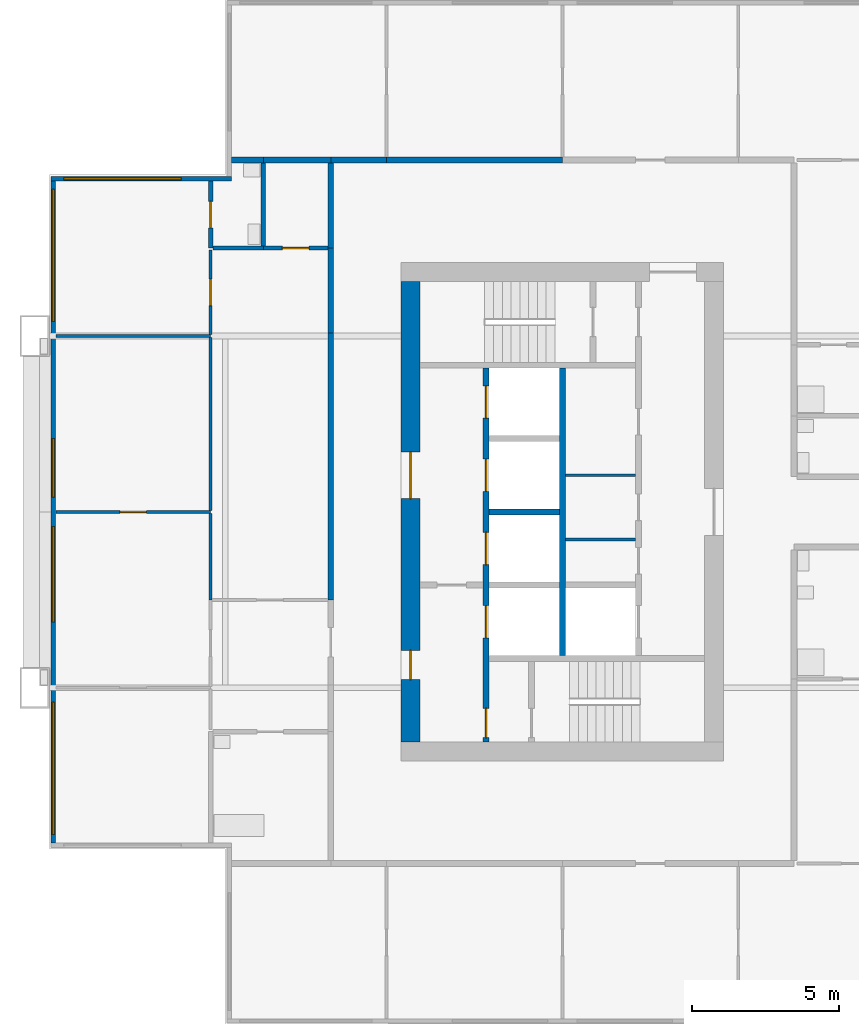
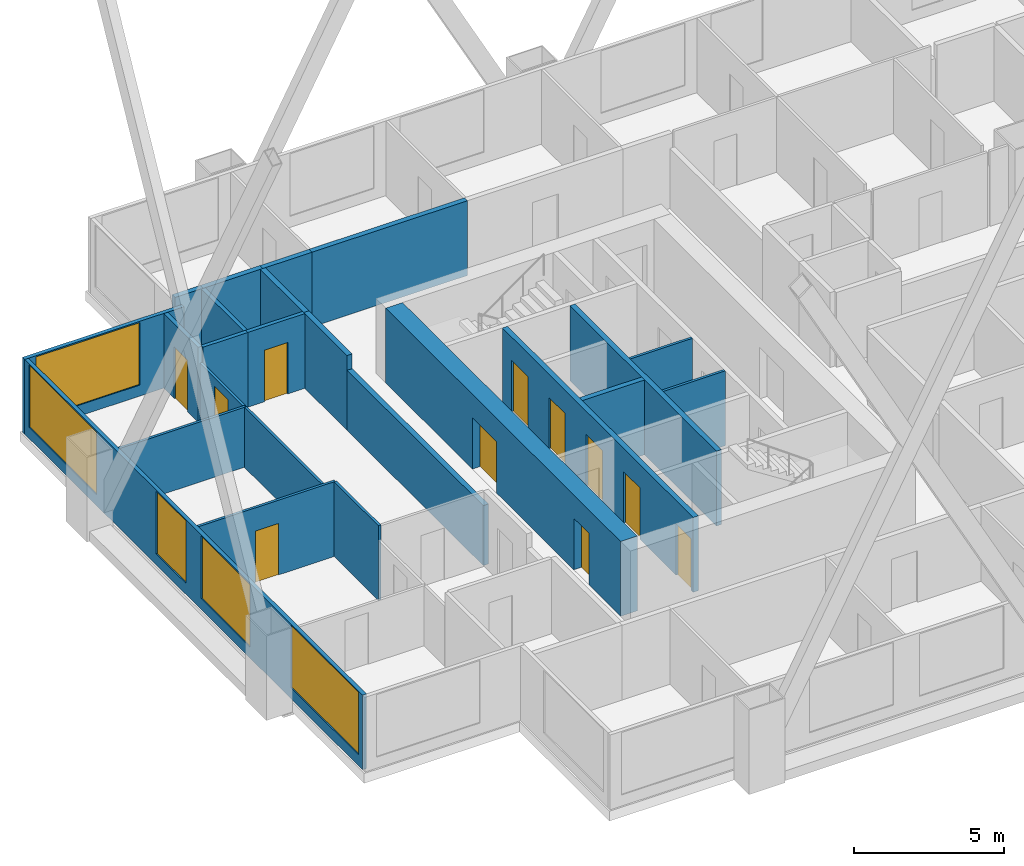
# One storey, part 3 of 11: 24 walls, 11 doors, 5 windows, 16 openings.
"""IFC4 building model written with IfcOpenShell, lengths in metres."""

from ifc_helpers import new_model, si_unit, direction, frame, frame_2d, origin, place, context, subcontext, project, spatial, rectangle, extrude, material, layer, layer_set, type_object, element, fill, save


model = new_model("IFC4")

# Units and contexts
model_context = context("Model", 3, precision=1e-05, world=origin(), true_north=direction((0.0, 1.0)))
body_context = subcontext(model_context, "Body", "Model", "MODEL_VIEW")
ifc_project = project(units=[si_unit("LENGTHUNIT", "METRE"), si_unit("AREAUNIT", "SQUARE_METRE"), si_unit("VOLUMEUNIT", "CUBIC_METRE"), si_unit("PLANEANGLEUNIT", "RADIAN"), si_unit("MASSUNIT", "GRAM", prefix="KILO")], contexts=[model_context])

# Site, building, storey
site_placement = place(None, origin())
site = spatial("IfcSite", under=ifc_project, at=site_placement, CompositionType="ELEMENT")
building_placement = place(site_placement, origin())
building = spatial("IfcBuilding", under=site, at=building_placement, Name="Kitamizu Gate Tower and Museum", CompositionType="ELEMENT")
storey_placement = place(building_placement, frame((0.0, 0.0, 131.10009765625)))
storey = spatial("IfcBuildingStorey", under=building, at=storey_placement, Name="L34", CompositionType="ELEMENT", Elevation=131.10009765625)

# Wall, openings, doors
ifc_material_1 = material(Name="Concrete Fc60", Category="concrete")
ifc_layer_1 = layer(ifc_material_1, 0.64990234375)
ifc_layer_set_1 = layer_set([ifc_layer_1], Name="Concrete Fc60")
wall_type_1 = type_object("IfcWallType", Name="Core wall 650", PredefinedType="SHEAR", material=ifc_layer_set_1)
wall_1_placement = place(storey_placement, frame((12.824951171875, 22.14990234375, 0.0), z_axis=(0.0, 0.0, 1.0), x_axis=(0.0, 1.0, 0.0)))
wall_1 = element("IfcWall", 1, at=wall_1_placement, inside=storey, type_object=wall_type_1, Name="Core wall WOUT", PredefinedType="SHEAR", context=body_context, shape_type="SweptSolid", body=[
    extrude(rectangle(XDim=15.7001953125, YDim=0.64990234375, at=frame_2d((7.85009765625, 0.0))), origin(), (0.0, 0.0, 1.0), 3.0498046875),
])
opening_1_placement = place(wall_1_placement, frame((8.300048828125, 0.0, 0.0)))
opening_1 = element("IfcOpeningElement", 2, at=opening_1_placement, cuts=wall_1, Name="Opening L34-057", PredefinedType="OPENING", context=body_context, shape_type="SweptSolid", body=[
    extrude(rectangle(XDim=1.60009765625, YDim=2.10009765625, at=frame_2d((0.800048828125, 1.050048828125))), frame((0.0, 0.3349609375, 0.0), z_axis=(0.0, -1.0, 0.0), x_axis=(1.0, 0.0, 0.0)), (0.0, 0.0, 1.0), 0.669921875),
])
opening_2_placement = place(wall_1_placement, frame((2.125, 0.0, 0.0)))
opening_2 = element("IfcOpeningElement", 3, at=opening_2_placement, cuts=wall_1, Name="Opening L34-058", PredefinedType="OPENING", context=body_context, shape_type="SweptSolid", body=[
    extrude(rectangle(XDim=1.0, YDim=2.10009765625, at=frame_2d((0.5, 1.050048828125))), frame((0.0, 0.3349609375, 0.0), z_axis=(0.0, -1.0, 0.0), x_axis=(1.0, 0.0, 0.0)), (0.0, 0.0, 1.0), 0.669921875),
])
ifc_material_2 = material(Name="Timber door set", Category="wood")
door_type_1 = type_object("IfcDoorType", Name="Entrance door 1600", OperationType="DOUBLE_DOOR_SINGLE_SWING", PredefinedType="DOOR", material=ifc_material_2)
door_1_placement = place(opening_1_placement, origin())
door_1 = element("IfcDoor", 4, at=door_1_placement, inside=storey, type_object=door_type_1, Name="Lobby door L34-057", OperationType="DOUBLE_DOOR_SINGLE_SWING", OverallHeight=2.10009765625, OverallWidth=1.60009765625, PredefinedType="DOOR", context=body_context, shape_type="SweptSolid", body=[
    extrude(rectangle(XDim=1.60009765625, YDim=2.10009765625, at=frame_2d((0.800048828125, 1.050048828125))), frame((0.0, 0.02490234375, 0.0), z_axis=(0.0, -1.0, 0.0), x_axis=(1.0, 0.0, 0.0)), (0.0, 0.0, 1.0), 0.050048828125),
])
fill(opening_1, door_1)
ifc_material_3 = material(Name="Hollow metal door set")
door_type_2 = type_object("IfcDoorType", Name="Fire door 1000", OperationType="NOTDEFINED", PredefinedType="DOOR", material=ifc_material_3)
door_2_placement = place(opening_2_placement, frame((1.0, 0.0, 0.0), x_axis=(-1.0, 0.0, 0.0)))
door_2 = element("IfcDoor", 5, at=door_2_placement, inside=storey, type_object=door_type_2, Name="Fire-fighting lobby door L34-058", OperationType="SINGLE_SWING_RIGHT", OverallHeight=2.10009765625, OverallWidth=1.0, PredefinedType="DOOR", context=body_context, shape_type="SweptSolid", body=[
    extrude(rectangle(XDim=1.0, YDim=2.10009765625, at=frame_2d((0.5, 1.050048828125))), frame((0.0, 0.02490234375, 0.0), z_axis=(0.0, -1.0, 0.0), x_axis=(1.0, 0.0, 0.0)), (0.0, 0.0, 1.0), 0.050048828125),
])
fill(opening_2, door_2)

# Walls
ifc_material_4 = material(Name="Gypsum board on galvanised stud")
ifc_layer_2 = layer(ifc_material_4, 0.10009765625)
ifc_layer_set_2 = layer_set([ifc_layer_2], Name="Gypsum board on galvanised stud")
wall_type_2 = type_object("IfcWallType", Name="Partition 100", PredefinedType="PARTITIONING", material=ifc_layer_set_2)
for number, where, z_axis, x_axis, name in (
    (6, (18.10009765625, 29.06005859375, 0.0), (0.0, 0.0, 1.0), (1.0, 0.0, 0.0), "Partition WPF1"),
    (7, (18.10009765625, 31.25, 0.0), (0.0, 0.0, 1.0), (1.0, 0.0, 0.0), "Partition WPF2"),
):
    element("IfcWall", number, at=place(storey_placement, frame(where, z_axis=z_axis, x_axis=x_axis)), inside=storey, type_object=wall_type_2, Name=name, PredefinedType="PARTITIONING", context=body_context, shape_type="SweptSolid", body=[
        extrude(rectangle(XDim=2.39990234375, YDim=0.10009765625, at=frame_2d((1.199951171875, 0.0))), origin(), (0.0, 0.0, 1.0), 3.0498046875),
    ])

# Wall, opening, door
ifc_material_5 = material(Name="Gypsum board on galvanised stud")
ifc_layer_3 = layer(ifc_material_5, 0.10009765625)
ifc_layer_set_3 = layer_set([ifc_layer_3], Name="Gypsum board on galvanised stud")
wall_type_3 = type_object("IfcWallType", Name="Partition 100 NOT RATED", PredefinedType="PARTITIONING", material=ifc_layer_set_3)
wall_2_placement = place(storey_placement, frame((6.0, 30.0, 0.0), z_axis=(0.0, 0.0, 1.0), x_axis=(-1.0, 0.0, 0.0)))
wall_2 = element("IfcWall", 8, at=wall_2_placement, inside=storey, type_object=wall_type_3, Name="Partition L34-088", PredefinedType="PARTITIONING", context=body_context, shape_type="SweptSolid", body=[
    extrude(rectangle(XDim=5.280029296875, YDim=0.10009765625, at=frame_2d((2.64013671875, 0.0))), origin(), (0.0, 0.0, 1.0), 3.0498046875),
])
opening_3_placement = place(wall_2_placement, frame((2.18994140625, 0.0, 0.0)))
opening_3 = element("IfcOpeningElement", 9, at=opening_3_placement, cuts=wall_2, Name="Opening L34-032", PredefinedType="OPENING", context=body_context, shape_type="SweptSolid", body=[
    extrude(rectangle(XDim=0.89990234375, YDim=2.10009765625, at=frame_2d((0.449951171875, 1.050048828125))), frame((0.0, 0.06005859375, 0.0), z_axis=(0.0, -1.0, 0.0), x_axis=(1.0, 0.0, 0.0)), (0.0, 0.0, 1.0), 0.1201171875),
])
ifc_material_6 = material(Name="Timber door set", Category="wood")
door_type_3 = type_object("IfcDoorType", Name="Room door 900", OperationType="NOTDEFINED", PredefinedType="DOOR", material=ifc_material_6)
door_3_placement = place(opening_3_placement, origin())
door_3 = element("IfcDoor", 10, at=door_3_placement, inside=storey, type_object=door_type_3, Name="Door L34-032", OperationType="SINGLE_SWING_LEFT", OverallHeight=2.10009765625, OverallWidth=0.89990234375, PredefinedType="DOOR", context=body_context, shape_type="SweptSolid", body=[
    extrude(rectangle(XDim=0.89990234375, YDim=2.10009765625, at=frame_2d((0.449951171875, 1.050048828125))), frame((0.0, 0.02490234375, 0.0), z_axis=(0.0, -1.0, 0.0), x_axis=(1.0, 0.0, 0.0)), (0.0, 0.0, 1.0), 0.050048828125),
])
fill(opening_3, door_3)

# Walls
wall_3_placement = place(storey_placement, frame((6.0, 27.0, 0.0), z_axis=(0.0, 0.0, 1.0), x_axis=(0.0, 1.0, 0.0)))
element("IfcWall", 11, at=wall_3_placement, inside=storey, type_object=wall_type_3, Name="Partition L34-090", PredefinedType="PARTITIONING", context=body_context, shape_type="SweptSolid", body=[
    extrude(rectangle(XDim=2.949951171875, YDim=0.10009765625, at=frame_2d((1.47509765625, 0.0))), origin(), (0.0, 0.0, 1.0), 3.0498046875),
])
wall_4_placement = place(storey_placement, frame((6.0, 36.0, 0.0), z_axis=(0.0, 0.0, 1.0), x_axis=(-1.0, 0.0, 0.0)))
element("IfcWall", 12, at=wall_4_placement, inside=storey, type_object=wall_type_3, Name="Partition L34-091", PredefinedType="PARTITIONING", context=body_context, shape_type="SweptSolid", body=[
    extrude(rectangle(XDim=5.280029296875, YDim=0.10009765625, at=frame_2d((2.64013671875, 0.0))), origin(), (0.0, 0.0, 1.0), 2.449951171875),
])
wall_5_placement = place(storey_placement, frame((6.0, 30.050048828125, 0.0), z_axis=(0.0, 0.0, 1.0), x_axis=(0.0, 1.0, 0.0)))
element("IfcWall", 13, at=wall_5_placement, inside=storey, type_object=wall_type_3, Name="Partition L34-092", PredefinedType="PARTITIONING", context=body_context, shape_type="SweptSolid", body=[
    extrude(rectangle(XDim=5.89990234375, YDim=0.10009765625, at=frame_2d((2.949951171875, 0.0))), origin(), (0.0, 0.0, 1.0), 2.449951171875),
])

# Wall, opening, door
wall_6_placement = place(storey_placement, frame((6.0, 36.050048828125, 0.0), z_axis=(0.0, 0.0, 1.0), x_axis=(0.0, 1.0, 0.0)))
wall_6 = element("IfcWall", 14, at=wall_6_placement, inside=storey, type_object=wall_type_3, Name="Partition L34-093", PredefinedType="PARTITIONING", context=body_context, shape_type="SweptSolid", body=[
    extrude(rectangle(XDim=2.875, YDim=0.10009765625, at=frame_2d((1.4375, 0.0))), origin(), (0.0, 0.0, 1.0), 2.449951171875),
])
opening_4_placement = place(wall_6_placement, frame((0.987548828125, 0.0, 0.0)))
opening_4 = element("IfcOpeningElement", 15, at=opening_4_placement, cuts=wall_6, Name="Opening L34-033", PredefinedType="OPENING", context=body_context, shape_type="SweptSolid", body=[
    extrude(rectangle(XDim=0.89990234375, YDim=2.10009765625, at=frame_2d((0.449951171875, 1.050048828125))), frame((0.0, 0.06005859375, 0.0), z_axis=(0.0, -1.0, 0.0), x_axis=(1.0, 0.0, 0.0)), (0.0, 0.0, 1.0), 0.1201171875),
])
door_4_placement = place(opening_4_placement, origin())
door_4 = element("IfcDoor", 16, at=door_4_placement, inside=storey, type_object=door_type_3, Name="Door L34-033", OperationType="SINGLE_SWING_RIGHT", OverallHeight=2.10009765625, OverallWidth=0.89990234375, PredefinedType="DOOR", context=body_context, shape_type="SweptSolid", body=[
    extrude(rectangle(XDim=0.89990234375, YDim=2.10009765625, at=frame_2d((0.449951171875, 1.050048828125))), frame((0.0, 0.02490234375, 0.0), z_axis=(0.0, -1.0, 0.0), x_axis=(1.0, 0.0, 0.0)), (0.0, 0.0, 1.0), 0.050048828125),
])
fill(opening_4, door_4)

ifc_material_7 = material(Name="Gypsum board on galvanised stud")
ifc_layer_4 = layer(ifc_material_7, 0.14990234375)
ifc_layer_set_4 = layer_set([ifc_layer_4], Name="Gypsum board on galvanised stud")
wall_type_4 = type_object("IfcWallType", Name="Partition 150", PredefinedType="PARTITIONING", material=ifc_layer_set_4)
wall_7_placement = place(storey_placement, frame((6.0, 39.0, 0.0), z_axis=(0.0, 0.0, 1.0), x_axis=(0.0, 1.0, 0.0)))
wall_7 = element("IfcWall", 17, at=wall_7_placement, inside=storey, type_object=wall_type_4, Name="Partition L34-094", PredefinedType="PARTITIONING", context=body_context, shape_type="SweptSolid", body=[
    extrude(rectangle(XDim=2.280029296875, YDim=0.14990234375, at=frame_2d((1.14013671875, 0.0))), origin(), (0.0, 0.0, 1.0), 3.0498046875),
])
opening_5_placement = place(wall_7_placement, frame((0.68994140625, 0.0, 0.0)))
opening_5 = element("IfcOpeningElement", 18, at=opening_5_placement, cuts=wall_7, Name="Opening L34-036", PredefinedType="OPENING", context=body_context, shape_type="SweptSolid", body=[
    extrude(rectangle(XDim=0.89990234375, YDim=2.10009765625, at=frame_2d((0.449951171875, 1.050048828125))), frame((0.0, 0.0849609375, 0.0), z_axis=(0.0, -1.0, 0.0), x_axis=(1.0, 0.0, 0.0)), (0.0, 0.0, 1.0), 0.169921875),
])
ifc_material_8 = material(Name="Timber door set", Category="wood")
door_type_4 = type_object("IfcDoorType", Name="Bathroom door 900", OperationType="NOTDEFINED", PredefinedType="DOOR", material=ifc_material_8)
door_5_placement = place(opening_5_placement, frame((0.89990234375, 0.0, 0.0), x_axis=(-1.0, 0.0, 0.0)))
door_5 = element("IfcDoor", 19, at=door_5_placement, inside=storey, type_object=door_type_4, Name="Bathroom door L34-036", OperationType="SINGLE_SWING_LEFT", OverallHeight=2.10009765625, OverallWidth=0.89990234375, PredefinedType="DOOR", context=body_context, shape_type="SweptSolid", body=[
    extrude(rectangle(XDim=0.89990234375, YDim=2.10009765625, at=frame_2d((0.449951171875, 1.050048828125))), frame((0.0, 0.02490234375, 0.0), z_axis=(0.0, -1.0, 0.0), x_axis=(1.0, 0.0, 0.0)), (0.0, 0.0, 1.0), 0.050048828125),
])
fill(opening_5, door_5)

# Wall
wall_8_placement = place(storey_placement, frame((7.800048828125, 39.0, 0.0), z_axis=(0.0, 0.0, 1.0), x_axis=(-1.0, 0.0, 0.0)))
element("IfcWall", 20, at=wall_8_placement, inside=storey, type_object=wall_type_4, Name="Partition L34-100", PredefinedType="PARTITIONING", context=body_context, shape_type="SweptSolid", body=[
    extrude(rectangle(XDim=1.72509765625, YDim=0.14990234375, at=frame_2d((0.862548828125, 0.0))), origin(), (0.0, 0.0, 1.0), 3.0498046875),
])

# Wall, opening, door
wall_9_placement = place(storey_placement, frame((10.0, 39.0, 0.0), z_axis=(0.0, 0.0, 1.0), x_axis=(-1.0, 0.0, 0.0)))
wall_9 = element("IfcWall", 21, at=wall_9_placement, inside=storey, type_object=wall_type_4, Name="Partition L34-101", PredefinedType="PARTITIONING", context=body_context, shape_type="SweptSolid", body=[
    extrude(rectangle(XDim=2.199951171875, YDim=0.14990234375, at=frame_2d((1.10009765625, 0.0))), origin(), (0.0, 0.0, 1.0), 3.0498046875),
])
opening_6_placement = place(wall_9_placement, frame((0.64990234375, 0.0, 0.0)))
opening_6 = element("IfcOpeningElement", 22, at=opening_6_placement, cuts=wall_9, Name="Opening L34-037", PredefinedType="OPENING", context=body_context, shape_type="SweptSolid", body=[
    extrude(rectangle(XDim=0.89990234375, YDim=2.10009765625, at=frame_2d((0.449951171875, 1.050048828125))), frame((0.0, 0.0849609375, 0.0), z_axis=(0.0, -1.0, 0.0), x_axis=(1.0, 0.0, 0.0)), (0.0, 0.0, 1.0), 0.169921875),
])
door_6_placement = place(opening_6_placement, frame((0.89990234375, 0.0, 0.0), x_axis=(-1.0, 0.0, 0.0)))
door_6 = element("IfcDoor", 23, at=door_6_placement, inside=storey, type_object=door_type_4, Name="Bathroom door L34-037", OperationType="SINGLE_SWING_RIGHT", OverallHeight=2.10009765625, OverallWidth=0.89990234375, PredefinedType="DOOR", context=body_context, shape_type="SweptSolid", body=[
    extrude(rectangle(XDim=0.89990234375, YDim=2.10009765625, at=frame_2d((0.449951171875, 1.050048828125))), frame((0.0, 0.02490234375, 0.0), z_axis=(0.0, -1.0, 0.0), x_axis=(1.0, 0.0, 0.0)), (0.0, 0.0, 1.0), 0.050048828125),
])
fill(opening_6, door_6)

# Walls
wall_10_placement = place(storey_placement, frame((7.800048828125, 39.074951171875, 0.0), z_axis=(0.0, 0.0, 1.0), x_axis=(0.0, 1.0, 0.0)))
element("IfcWall", 24, at=wall_10_placement, inside=storey, type_object=wall_type_4, Name="Partition L34-104", PredefinedType="PARTITIONING", context=body_context, shape_type="SweptSolid", body=[
    extrude(rectangle(XDim=2.824951171875, YDim=0.14990234375, at=frame_2d((1.41259765625, 0.0))), origin(), (0.0, 0.0, 1.0), 3.0498046875),
])
ifc_material_9 = material(Name="Gypsum board on galvanised stud")
ifc_layer_5 = layer(ifc_material_9, 0.199951171875)
ifc_layer_set_5 = layer_set([ifc_layer_5], Name="Gypsum board on galvanised stud")
wall_type_5 = type_object("IfcWallType", Name="Partition 200", PredefinedType="PARTITIONING", material=ifc_layer_set_5)
wall_11_placement = place(storey_placement, frame((6.719970703125, 42.0, 0.0), z_axis=(0.0, 0.0, 1.0), x_axis=(1.0, 0.0, 0.0)))
element("IfcWall", 25, at=wall_11_placement, inside=storey, type_object=wall_type_5, Name="Partition L34-050", PredefinedType="PARTITIONING", context=body_context, shape_type="SweptSolid", body=[
    extrude(rectangle(XDim=1.080078125, YDim=0.199951171875, at=frame_2d((0.5400390625, 0.0))), origin(), (0.0, 0.0, 1.0), 3.0498046875),
])
wall_12_placement = place(storey_placement, frame((7.800048828125, 42.0, 0.0), z_axis=(0.0, 0.0, 1.0), x_axis=(1.0, 0.0, 0.0)))
element("IfcWall", 26, at=wall_12_placement, inside=storey, type_object=wall_type_5, Name="Partition L34-051", PredefinedType="PARTITIONING", context=body_context, shape_type="SweptSolid", body=[
    extrude(rectangle(XDim=2.300048828125, YDim=0.199951171875, at=frame_2d((1.14990234375, 0.0))), origin(), (0.0, 0.0, 1.0), 3.0498046875),
])
wall_13_placement = place(storey_placement, frame((10.10009765625, 42.0, 0.0), z_axis=(0.0, 0.0, 1.0), x_axis=(1.0, 0.0, 0.0)))
element("IfcWall", 27, at=wall_13_placement, inside=storey, type_object=wall_type_5, Name="Partition L34-052", PredefinedType="PARTITIONING", context=body_context, shape_type="SweptSolid", body=[
    extrude(rectangle(XDim=1.89990234375, YDim=0.199951171875, at=frame_2d((0.949951171875, 0.0))), origin(), (0.0, 0.0, 1.0), 3.0498046875),
])
wall_14_placement = place(storey_placement, frame((12.0, 42.0, 0.0), z_axis=(0.0, 0.0, 1.0), x_axis=(1.0, 0.0, 0.0)))
element("IfcWall", 28, at=wall_14_placement, inside=storey, type_object=wall_type_5, Name="Partition L34-054", PredefinedType="PARTITIONING", context=body_context, shape_type="SweptSolid", body=[
    extrude(rectangle(XDim=6.0, YDim=0.199951171875, at=frame_2d((3.0, 0.0))), origin(), (0.0, 0.0, 1.0), 3.0498046875),
])
wall_15_placement = place(storey_placement, frame((10.10009765625, 27.0, 0.0), z_axis=(0.0, 0.0, 1.0), x_axis=(0.0, 1.0, 0.0)))
element("IfcWall", 29, at=wall_15_placement, inside=storey, type_object=wall_type_5, Name="Partition L34-102", PredefinedType="PARTITIONING", context=body_context, shape_type="SweptSolid", body=[
    extrude(rectangle(XDim=9.10009765625, YDim=0.199951171875, at=frame_2d((4.550048828125, 0.0))), origin(), (0.0, 0.0, 1.0), 2.449951171875),
])
for number, where, z_axis, x_axis, name in (
    (30, (10.10009765625, 36.10009765625, 0.0), (0.0, 0.0, 1.0), (0.0, 1.0, 0.0), "Partition L34-103"),
    (31, (10.10009765625, 39.0, 0.0), (0.0, 0.0, 1.0), (0.0, 1.0, 0.0), "Partition L34-105"),
):
    element("IfcWall", number, at=place(storey_placement, frame(where, z_axis=z_axis, x_axis=x_axis)), inside=storey, type_object=wall_type_5, Name=name, PredefinedType="PARTITIONING", context=body_context, shape_type="SweptSolid", body=[
        extrude(rectangle(XDim=2.89990234375, YDim=0.199951171875, at=frame_2d((1.449951171875, 0.0))), origin(), (0.0, 0.0, 1.0), 3.0498046875),
    ])

# Wall, openings, doors
ifc_material_10 = material(Name="Concrete Fc42", Category="concrete")
ifc_layer_6 = layer(ifc_material_10, 0.199951171875)
ifc_layer_set_6 = layer_set([ifc_layer_6], Name="Concrete Fc42")
wall_type_6 = type_object("IfcWallType", Name="Shaft wall 200", PredefinedType="SOLIDWALL", material=ifc_layer_set_6)
wall_16_placement = place(storey_placement, frame((15.39990234375, 22.14990234375, 0.0), z_axis=(0.0, 0.0, 1.0), x_axis=(0.0, 1.0, 0.0)))
wall_16 = element("IfcWall", 32, at=wall_16_placement, inside=storey, type_object=wall_type_6, Name="Shaft wall WWEST", PredefinedType="SOLIDWALL", context=body_context, shape_type="SweptSolid", body=[
    extrude(rectangle(XDim=12.75, YDim=0.199951171875, at=frame_2d((6.375, 0.0))), origin(), (0.0, 0.0, 1.0), 3.0498046875),
])
opening_7_placement = place(wall_16_placement, frame((3.550048828125, 0.0, 0.0)))
opening_7 = element("IfcOpeningElement", 33, at=opening_7_placement, cuts=wall_16, Name="Opening LD", PredefinedType="OPENING", context=body_context, shape_type="SweptSolid", body=[
    extrude(rectangle(XDim=1.10009765625, YDim=2.10009765625, at=frame_2d((0.550048828125, 1.050048828125))), frame((0.0, 0.10986328125, 0.0), z_axis=(0.0, -1.0, 0.0), x_axis=(1.0, 0.0, 0.0)), (0.0, 0.0, 1.0), 0.219970703125),
])
opening_8_placement = place(wall_16_placement, frame((6.050048828125, 0.0, 0.0)))
opening_8 = element("IfcOpeningElement", 34, at=opening_8_placement, cuts=wall_16, Name="Opening LD", PredefinedType="OPENING", context=body_context, shape_type="SweptSolid", body=[
    extrude(rectangle(XDim=1.10009765625, YDim=2.10009765625, at=frame_2d((0.550048828125, 1.050048828125))), frame((0.0, 0.10986328125, 0.0), z_axis=(0.0, -1.0, 0.0), x_axis=(1.0, 0.0, 0.0)), (0.0, 0.0, 1.0), 0.219970703125),
])
opening_9_placement = place(wall_16_placement, frame((8.550048828125, 0.0, 0.0)))
opening_9 = element("IfcOpeningElement", 35, at=opening_9_placement, cuts=wall_16, Name="Opening LD", PredefinedType="OPENING", context=body_context, shape_type="SweptSolid", body=[
    extrude(rectangle(XDim=1.10009765625, YDim=2.10009765625, at=frame_2d((0.550048828125, 1.050048828125))), frame((0.0, 0.10986328125, 0.0), z_axis=(0.0, -1.0, 0.0), x_axis=(1.0, 0.0, 0.0)), (0.0, 0.0, 1.0), 0.219970703125),
])
opening_10_placement = place(wall_16_placement, frame((11.050048828125, 0.0, 0.0)))
opening_10 = element("IfcOpeningElement", 36, at=opening_10_placement, cuts=wall_16, Name="Opening LD", PredefinedType="OPENING", context=body_context, shape_type="SweptSolid", body=[
    extrude(rectangle(XDim=1.10009765625, YDim=2.10009765625, at=frame_2d((0.550048828125, 1.050048828125))), frame((0.0, 0.10986328125, 0.0), z_axis=(0.0, -1.0, 0.0), x_axis=(1.0, 0.0, 0.0)), (0.0, 0.0, 1.0), 0.219970703125),
])
opening_11_placement = place(wall_16_placement, frame((0.14990234375, 0.0, 0.0)))
opening_11 = element("IfcOpeningElement", 37, at=opening_11_placement, cuts=wall_16, Name="Opening L34-053", PredefinedType="OPENING", context=body_context, shape_type="SweptSolid", body=[
    extrude(rectangle(XDim=1.0, YDim=2.10009765625, at=frame_2d((0.5, 1.050048828125))), frame((0.0, 0.10986328125, 0.0), z_axis=(0.0, -1.0, 0.0), x_axis=(1.0, 0.0, 0.0)), (0.0, 0.0, 1.0), 0.219970703125),
])
door_7_placement = place(opening_11_placement, frame((1.0, 0.0, 0.0), x_axis=(-1.0, 0.0, 0.0)))
door_7 = element("IfcDoor", 38, at=door_7_placement, inside=storey, type_object=door_type_2, Name="Stair lobby door L34-053", OperationType="SINGLE_SWING_LEFT", OverallHeight=2.10009765625, OverallWidth=1.0, PredefinedType="DOOR", context=body_context, shape_type="SweptSolid", body=[
    extrude(rectangle(XDim=1.0, YDim=2.10009765625, at=frame_2d((0.5, 1.050048828125))), frame((0.0, 0.02490234375, 0.0), z_axis=(0.0, -1.0, 0.0), x_axis=(1.0, 0.0, 0.0)), (0.0, 0.0, 1.0), 0.050048828125),
])
fill(opening_11, door_7)
ifc_material_11 = material(Name="Hollow metal door set")
door_type_5 = type_object("IfcDoorType", Name="Landing door 1100", OperationType="SLIDING_TO_LEFT", PredefinedType="DOOR", material=ifc_material_11)
door_8_placement = place(opening_7_placement, origin())
door_8 = element("IfcDoor", 39, at=door_8_placement, inside=storey, type_object=door_type_5, Name="Landing door WFF1", OperationType="SLIDING_TO_LEFT", OverallHeight=2.10009765625, OverallWidth=1.10009765625, PredefinedType="DOOR", context=body_context, shape_type="SweptSolid", body=[
    extrude(rectangle(XDim=1.10009765625, YDim=2.10009765625, at=frame_2d((0.550048828125, 1.050048828125))), frame((0.0, 0.02490234375, 0.0), z_axis=(0.0, -1.0, 0.0), x_axis=(1.0, 0.0, 0.0)), (0.0, 0.0, 1.0), 0.050048828125),
])
fill(opening_7, door_8)
door_9_placement = place(opening_8_placement, origin())
door_9 = element("IfcDoor", 40, at=door_9_placement, inside=storey, type_object=door_type_5, Name="Landing door WL1", OperationType="SLIDING_TO_LEFT", OverallHeight=2.10009765625, OverallWidth=1.10009765625, PredefinedType="DOOR", context=body_context, shape_type="SweptSolid", body=[
    extrude(rectangle(XDim=1.10009765625, YDim=2.10009765625, at=frame_2d((0.550048828125, 1.050048828125))), frame((0.0, 0.02490234375, 0.0), z_axis=(0.0, -1.0, 0.0), x_axis=(1.0, 0.0, 0.0)), (0.0, 0.0, 1.0), 0.050048828125),
])
fill(opening_8, door_9)
door_10_placement = place(opening_9_placement, origin())
door_10 = element("IfcDoor", 41, at=door_10_placement, inside=storey, type_object=door_type_5, Name="Landing door WL2", OperationType="SLIDING_TO_LEFT", OverallHeight=2.10009765625, OverallWidth=1.10009765625, PredefinedType="DOOR", context=body_context, shape_type="SweptSolid", body=[
    extrude(rectangle(XDim=1.10009765625, YDim=2.10009765625, at=frame_2d((0.550048828125, 1.050048828125))), frame((0.0, 0.02490234375, 0.0), z_axis=(0.0, -1.0, 0.0), x_axis=(1.0, 0.0, 0.0)), (0.0, 0.0, 1.0), 0.050048828125),
])
fill(opening_9, door_10)
door_11_placement = place(opening_10_placement, origin())
door_11 = element("IfcDoor", 42, at=door_11_placement, inside=storey, type_object=door_type_5, Name="Landing door WL3", OperationType="SLIDING_TO_LEFT", OverallHeight=2.10009765625, OverallWidth=1.10009765625, PredefinedType="DOOR", context=body_context, shape_type="SweptSolid", body=[
    extrude(rectangle(XDim=1.10009765625, YDim=2.10009765625, at=frame_2d((0.550048828125, 1.050048828125))), frame((0.0, 0.02490234375, 0.0), z_axis=(0.0, -1.0, 0.0), x_axis=(1.0, 0.0, 0.0)), (0.0, 0.0, 1.0), 0.050048828125),
])
fill(opening_10, door_11)

# Walls
wall_17_placement = place(storey_placement, frame((18.0, 25.10009765625, 0.0), z_axis=(0.0, 0.0, 1.0), x_axis=(0.0, 1.0, 0.0)))
element("IfcWall", 43, at=wall_17_placement, inside=storey, type_object=wall_type_6, Name="Shaft wall WMID", PredefinedType="SOLIDWALL", context=body_context, shape_type="SweptSolid", body=[
    extrude(rectangle(XDim=9.7998046875, YDim=0.199951171875, at=frame_2d((4.89990234375, 0.0))), origin(), (0.0, 0.0, 1.0), 3.0498046875),
])
wall_18_placement = place(storey_placement, frame((15.5, 30.0, 0.0), z_axis=(0.0, 0.0, 1.0), x_axis=(1.0, 0.0, 0.0)))
element("IfcWall", 44, at=wall_18_placement, inside=storey, type_object=wall_type_6, Name="Shaft wall WDVW1", PredefinedType="SOLIDWALL", context=body_context, shape_type="SweptSolid", body=[
    extrude(rectangle(XDim=2.39990234375, YDim=0.199951171875, at=frame_2d((1.199951171875, 0.0))), origin(), (0.0, 0.0, 1.0), 3.0498046875),
])

# Wall, opening, window
ifc_material_12 = material(Name="Bronze anodised aluminium frame with insulated spandrel and tinted glass", Category="aluminium")
ifc_layer_7 = layer(ifc_material_12, 0.14990234375)
ifc_layer_set_7 = layer_set([ifc_layer_7], Name="Bronze anodised aluminium frame with insulated spandrel and tinted glass")
wall_type_7 = type_object("IfcWallType", Name="WINDOW WALL 150 BRONZE FRAME EI 30", PredefinedType="ELEMENTEDWALL", material=ifc_layer_set_7)
wall_19_placement = place(storey_placement, frame((0.56005859375, 41.364990234375, 0.0), z_axis=(0.0, 0.0, 1.0), x_axis=(1.0, 0.0, 0.0)))
wall_19 = element("IfcWall", 45, at=wall_19_placement, inside=storey, type_object=wall_type_7, Name="Window wall north L34", PredefinedType="ELEMENTEDWALL", context=body_context, shape_type="SweptSolid", body=[
    extrude(rectangle(XDim=6.14990234375, YDim=0.14990234375, at=frame_2d((3.074951171875, 0.0))), origin(), (0.0, 0.0, 1.0), 3.0498046875),
])
opening_12_placement = place(wall_19_placement, frame((0.43994140625, 0.0, 0.449951171875)))
opening_12 = element("IfcOpeningElement", 46, at=opening_12_placement, cuts=wall_19, Name="Opening W16", PredefinedType="OPENING", context=body_context, shape_type="SweptSolid", body=[
    extrude(rectangle(XDim=4.0, YDim=2.550048828125, at=frame_2d((2.0, 1.27490234375))), frame((0.0, 0.0849609375, 0.0), z_axis=(0.0, -1.0, 0.0), x_axis=(1.0, 0.0, 0.0)), (0.0, 0.0, 1.0), 0.169921875),
])
ifc_material_13 = material(Name="Bronze anodised aluminium frame, tinted triple glazing", Category="aluminium")
window_type_1 = type_object("IfcWindowType", Name="WINDOW 4000 x 2550 SILL 450", PartitioningType="SINGLE_PANEL", PredefinedType="WINDOW", material=ifc_material_13)
window_1_placement = place(opening_12_placement, origin())
window_1 = element("IfcWindow", 47, at=window_1_placement, inside=storey, type_object=window_type_1, Name="Window W16 L34", OverallHeight=2.550048828125, OverallWidth=4.0, PartitioningType="SINGLE_PANEL", PredefinedType="WINDOW", context=body_context, shape_type="SweptSolid", body=[
    extrude(rectangle(XDim=4.0, YDim=2.550048828125, at=frame_2d((2.0, 1.27490234375))), frame((0.0, 0.030029296875, 0.0), z_axis=(0.0, -1.0, 0.0), x_axis=(1.0, 0.0, 0.0)), (0.0, 0.0, 1.0), 0.06005859375),
])
fill(opening_12, window_1)

# Wall, openings, windows
wall_20_placement = place(storey_placement, frame((0.635009765625, 18.7099609375, 0.0), z_axis=(0.0, 0.0, 1.0), x_axis=(0.0, 1.0, 0.0)))
wall_20 = element("IfcWall", 48, at=wall_20_placement, inside=storey, type_object=wall_type_7, Name="Window wall west L34", PredefinedType="ELEMENTEDWALL", context=body_context, shape_type="SweptSolid", body=[
    extrude(rectangle(XDim=22.580078125, YDim=0.14990234375, at=frame_2d((11.2900390625, 0.0))), origin(), (0.0, 0.0, 1.0), 3.0498046875),
])
opening_13_placement = place(wall_20_placement, frame((0.2900390625, 0.0, 0.449951171875)))
opening_13 = element("IfcOpeningElement", 49, at=opening_13_placement, cuts=wall_20, Name="Opening W15", PredefinedType="OPENING", context=body_context, shape_type="SweptSolid", body=[
    extrude(rectangle(XDim=4.5, YDim=2.550048828125, at=frame_2d((2.25, 1.27490234375))), frame((0.0, 0.0849609375, 0.0), z_axis=(0.0, -1.0, 0.0), x_axis=(1.0, 0.0, 0.0)), (0.0, 0.0, 1.0), 0.169921875),
])
opening_14_placement = place(wall_20_placement, frame((7.5400390625, 0.0, 0.449951171875)))
opening_14 = element("IfcOpeningElement", 50, at=opening_14_placement, cuts=wall_20, Name="Opening W34", PredefinedType="OPENING", context=body_context, shape_type="SweptSolid", body=[
    extrude(rectangle(XDim=3.25, YDim=2.550048828125, at=frame_2d((1.625, 1.27490234375))), frame((0.0, 0.0849609375, 0.0), z_axis=(0.0, -1.0, 0.0), x_axis=(1.0, 0.0, 0.0)), (0.0, 0.0, 1.0), 0.169921875),
])
opening_15_placement = place(wall_20_placement, frame((11.7900390625, 0.0, 0.449951171875)))
opening_15 = element("IfcOpeningElement", 51, at=opening_15_placement, cuts=wall_20, Name="Opening W2", PredefinedType="OPENING", context=body_context, shape_type="SweptSolid", body=[
    extrude(rectangle(XDim=2.0, YDim=2.550048828125, at=frame_2d((1.0, 1.27490234375))), frame((0.0, 0.0849609375, 0.0), z_axis=(0.0, -1.0, 0.0), x_axis=(1.0, 0.0, 0.0)), (0.0, 0.0, 1.0), 0.169921875),
])
opening_16_placement = place(wall_20_placement, frame((17.7900390625, 0.0, 0.449951171875)))
opening_16 = element("IfcOpeningElement", 52, at=opening_16_placement, cuts=wall_20, Name="Opening W15", PredefinedType="OPENING", context=body_context, shape_type="SweptSolid", body=[
    extrude(rectangle(XDim=4.5, YDim=2.550048828125, at=frame_2d((2.25, 1.27490234375))), frame((0.0, 0.0849609375, 0.0), z_axis=(0.0, -1.0, 0.0), x_axis=(1.0, 0.0, 0.0)), (0.0, 0.0, 1.0), 0.169921875),
])
ifc_material_14 = material(Name="Bronze anodised aluminium frame, tinted triple glazing", Category="aluminium")
window_type_2 = type_object("IfcWindowType", Name="WINDOW 2000 x 2550 SILL 450", PartitioningType="SINGLE_PANEL", PredefinedType="WINDOW", material=ifc_material_14)
window_2_placement = place(opening_15_placement, origin())
window_2 = element("IfcWindow", 53, at=window_2_placement, inside=storey, type_object=window_type_2, Name="Window W2 L34", OverallHeight=2.550048828125, OverallWidth=2.0, PartitioningType="SINGLE_PANEL", PredefinedType="WINDOW", context=body_context, shape_type="SweptSolid", body=[
    extrude(rectangle(XDim=2.0, YDim=2.550048828125, at=frame_2d((1.0, 1.27490234375))), frame((0.0, 0.030029296875, 0.0), z_axis=(0.0, -1.0, 0.0), x_axis=(1.0, 0.0, 0.0)), (0.0, 0.0, 1.0), 0.06005859375),
])
fill(opening_15, window_2)
ifc_material_15 = material(Name="Bronze anodised aluminium frame, tinted triple glazing", Category="aluminium")
window_type_3 = type_object("IfcWindowType", Name="WINDOW 3250 x 2550 SILL 450", PartitioningType="SINGLE_PANEL", PredefinedType="WINDOW", material=ifc_material_15)
window_3_placement = place(opening_14_placement, origin())
window_3 = element("IfcWindow", 54, at=window_3_placement, inside=storey, type_object=window_type_3, Name="Window W34 L34", OverallHeight=2.550048828125, OverallWidth=3.25, PartitioningType="SINGLE_PANEL", PredefinedType="WINDOW", context=body_context, shape_type="SweptSolid", body=[
    extrude(rectangle(XDim=3.25, YDim=2.550048828125, at=frame_2d((1.625, 1.27490234375))), frame((0.0, 0.030029296875, 0.0), z_axis=(0.0, -1.0, 0.0), x_axis=(1.0, 0.0, 0.0)), (0.0, 0.0, 1.0), 0.06005859375),
])
fill(opening_14, window_3)
ifc_material_16 = material(Name="Bronze anodised aluminium frame, tinted triple glazing", Category="aluminium")
window_type_4 = type_object("IfcWindowType", Name="WINDOW 4500 x 2550 SILL 450", PartitioningType="SINGLE_PANEL", PredefinedType="WINDOW", material=ifc_material_16)
window_4_placement = place(opening_13_placement, origin())
window_4 = element("IfcWindow", 55, at=window_4_placement, inside=storey, type_object=window_type_4, Name="Window W15 L34", OverallHeight=2.550048828125, OverallWidth=4.5, PartitioningType="SINGLE_PANEL", PredefinedType="WINDOW", context=body_context, shape_type="SweptSolid", body=[
    extrude(rectangle(XDim=4.5, YDim=2.550048828125, at=frame_2d((2.25, 1.27490234375))), frame((0.0, 0.030029296875, 0.0), z_axis=(0.0, -1.0, 0.0), x_axis=(1.0, 0.0, 0.0)), (0.0, 0.0, 1.0), 0.06005859375),
])
fill(opening_13, window_4)
window_5_placement = place(opening_16_placement, origin())
window_5 = element("IfcWindow", 56, at=window_5_placement, inside=storey, type_object=window_type_4, Name="Window W15 L34", OverallHeight=2.550048828125, OverallWidth=4.5, PartitioningType="SINGLE_PANEL", PredefinedType="WINDOW", context=body_context, shape_type="SweptSolid", body=[
    extrude(rectangle(XDim=4.5, YDim=2.550048828125, at=frame_2d((2.25, 1.27490234375))), frame((0.0, 0.030029296875, 0.0), z_axis=(0.0, -1.0, 0.0), x_axis=(1.0, 0.0, 0.0)), (0.0, 0.0, 1.0), 0.06005859375),
])
fill(opening_16, window_5)

save(model, "model.ifc")
